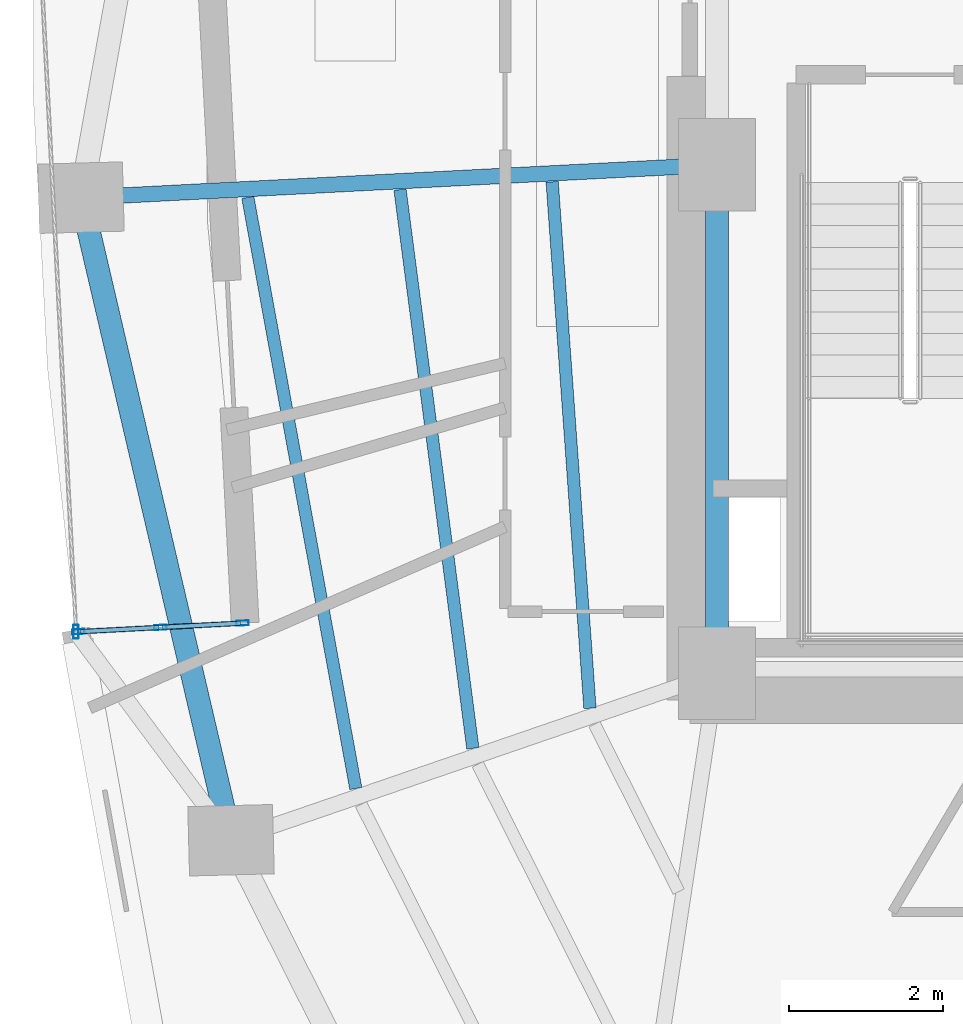
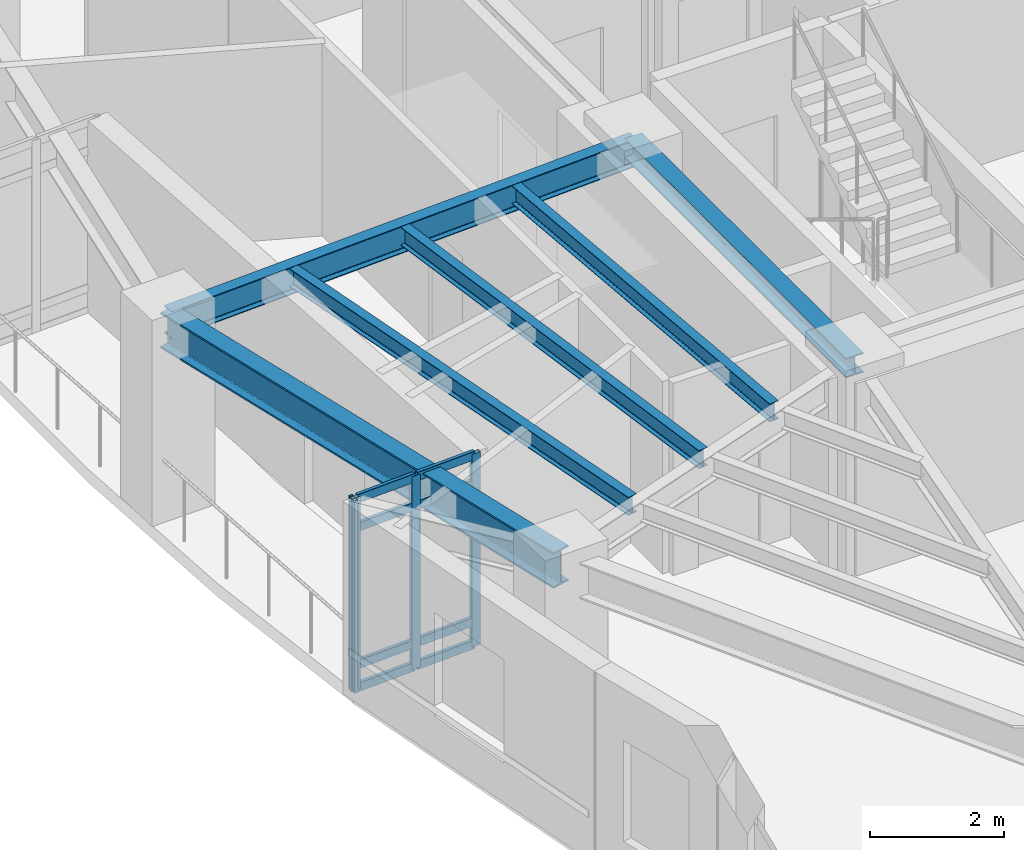
# One storey, part 2 of 13: 12 members, 6 beams, 1 element without a shape of its own.
"""IFC4 building model written with IfcOpenShell, lengths in metres."""

from ifc_helpers import new_model, si_unit, direction, frame, origin, origin_2d, place, context, subcontext, project, spatial, hollow_rectangle, i_section, extrude, material, layer, layer_set, material_profile, profile_set, type_object, element, aggregate, save


model = new_model("IFC4")

# Units and contexts
model_context = context("Model", 3, precision=1e-05, world=origin(), true_north=direction((0.0, 1.0)))
body_context = subcontext(model_context, "Body", "Model", "MODEL_VIEW")
ifc_project = project(units=[si_unit("LENGTHUNIT", "METRE"), si_unit("AREAUNIT", "SQUARE_METRE"), si_unit("VOLUMEUNIT", "CUBIC_METRE"), si_unit("PLANEANGLEUNIT", "RADIAN"), si_unit("MASSUNIT", "GRAM", prefix="KILO")], contexts=[model_context])

# Site, building, storey
site_placement = place(None, origin())
site = spatial("IfcSite", under=ifc_project, at=site_placement, CompositionType="ELEMENT")
building_placement = place(site_placement, origin())
building = spatial("IfcBuilding", under=site, at=building_placement, Name="Ndelora Gate Hotel", CompositionType="ELEMENT")
storey_placement = place(building_placement, frame((0.0, 0.0, 134.75)))
storey = spatial("IfcBuildingStorey", under=building, at=storey_placement, Name="L33", CompositionType="ELEMENT", Elevation=134.75)

# Beams
ifc_material_1 = material(Name="Steel S355", Category="steel")
ifc_material_profile_1 = material_profile(ifc_material_1, i_section(OverallWidth=0.300048828125, OverallDepth=0.360107421875, WebThickness=0.012451171875, FlangeThickness=0.0224609375, FilletRadius=0.027099609375, at=origin_2d()), Name="HEB 360")
ifc_profile_set_1 = profile_set([ifc_material_profile_1], Name="Steel S355")
beam_type_1 = type_object("IfcBeamType", Name="BM-CORE-360", PredefinedType="BEAM", material=ifc_profile_set_1)
beam_1_placement = place(storey_placement, frame((-8.0, -6.60009765625, 3.320068359375), z_axis=(0.0, 1.0, 0.0), x_axis=(-1.0, 0.0, 0.0)))
element("IfcBeam", 1, at=beam_1_placement, inside=storey, type_object=beam_type_1, Name="L33 Core Tie Girder CC1-CC8", PredefinedType="BEAM", context=body_context, shape_type="SweptSolid", body=[
    extrude(i_section(OverallWidth=0.300048828125, OverallDepth=0.360107421875, WebThickness=0.012451171875, FlangeThickness=0.0224609375, FilletRadius=0.027099609375, at=origin_2d()), origin(), (0.0, 0.0, 1.0), 6.60009765625),
])
ifc_material_profile_2 = material_profile(ifc_material_1, i_section(OverallWidth=0.159912109375, OverallDepth=0.330078125, WebThickness=0.007568359375, FlangeThickness=0.011474609375, FilletRadius=0.01806640625, at=origin_2d()), Name="IPE 330")
ifc_profile_set_2 = profile_set([ifc_material_profile_2], Name="Steel S355")
beam_type_2 = type_object("IfcBeamType", Name="BM-JST-330", PredefinedType="JOIST", material=ifc_profile_set_2)
beam_2_placement = place(storey_placement, frame((-10.138427734375, -0.220458984375, 3.3349609375), z_axis=(0.07162945927, -0.997431311201, 0.0), x_axis=(0.997431311201, 0.07162945927, 0.0)))
element("IfcBeam", 2, at=beam_2_placement, inside=storey, type_object=beam_type_2, Name="L33 Secondary Composite Floor Joist IN-3", PredefinedType="JOIST", context=body_context, shape_type="SweptSolid", body=[
    extrude(i_section(OverallWidth=0.159912109375, OverallDepth=0.330078125, WebThickness=0.007568359375, FlangeThickness=0.011474609375, FilletRadius=0.01806640625, at=origin_2d()), origin(), (0.0, 0.0, 1.0), 6.850830078125),
])
beam_3_placement = place(storey_placement, frame((-12.113525390625, -0.322021484375, 3.3349609375), z_axis=(0.12927924943, -0.991608226906, 0.0), x_axis=(0.991608226906, 0.12927924943, 0.0)))
element("IfcBeam", 3, at=beam_3_placement, inside=storey, type_object=beam_type_2, Name="L33 Secondary Composite Floor Joist MID-3", PredefinedType="JOIST", context=body_context, shape_type="SweptSolid", body=[
    extrude(i_section(OverallWidth=0.159912109375, OverallDepth=0.330078125, WebThickness=0.007568359375, FlangeThickness=0.011474609375, FilletRadius=0.01806640625, at=origin_2d()), origin(), (0.0, 0.0, 1.0), 7.31396484375),
])
beam_4_placement = place(storey_placement, frame((-14.089111328125, -0.423095703125, 3.3349609375), z_axis=(0.179733770179, -0.983715290039, 0.0), x_axis=(0.983715290039, 0.179733770179, 0.0)))
element("IfcBeam", 4, at=beam_4_placement, inside=storey, type_object=beam_type_2, Name="L33 Secondary Composite Floor Joist OUT-3", PredefinedType="JOIST", context=body_context, shape_type="SweptSolid", body=[
    extrude(i_section(OverallWidth=0.159912109375, OverallDepth=0.330078125, WebThickness=0.007568359375, FlangeThickness=0.011474609375, FilletRadius=0.01806640625, at=origin_2d()), origin(), (0.0, 0.0, 1.0), 7.799560546875),
])
ifc_material_profile_3 = material_profile(ifc_material_1, i_section(OverallWidth=0.199951171875, OverallDepth=0.5, WebThickness=0.01025390625, FlangeThickness=0.01611328125, FilletRadius=0.02099609375, at=origin_2d()), Name="IPE 500")
ifc_profile_set_3 = profile_set([ifc_material_profile_3], Name="Steel S355")
beam_type_3 = type_object("IfcBeamType", Name="BM-RAD-500", PredefinedType="BEAM", material=ifc_profile_set_3)
beam_5_placement = place(storey_placement, frame((-8.0, 0.0, 3.25), z_axis=(-0.998672591881, -0.051507807424, 0.0), x_axis=(0.051507807424, -0.998672591881, 0.0)))
element("IfcBeam", 5, at=beam_5_placement, inside=storey, type_object=beam_type_3, Name="L33 Radial Floor Girder 3", PredefinedType="BEAM", context=body_context, shape_type="SweptSolid", body=[
    extrude(i_section(OverallWidth=0.199951171875, OverallDepth=0.5, WebThickness=0.01025390625, FlangeThickness=0.01611328125, FilletRadius=0.02099609375, at=origin_2d()), origin(), (0.0, 0.0, 1.0), 8.266357421875),
])
ifc_material_profile_4 = material_profile(ifc_material_1, i_section(OverallWidth=0.300048828125, OverallDepth=0.64990234375, WebThickness=0.01611328125, FlangeThickness=0.031005859375, FilletRadius=0.027099609375, at=origin_2d()), Name="HEB 650")
ifc_profile_set_4 = profile_set([ifc_material_profile_4], Name="Steel S355")
beam_type_4 = type_object("IfcBeamType", Name="BM-RING-650", PredefinedType="SPANDREL", material=ifc_profile_set_4)
beam_6_placement = place(storey_placement, frame((-16.25537109375, -0.42578125, 3.175048828125), z_axis=(0.227404398157, -0.973800410607, 0.0), x_axis=(0.973800410607, 0.227404398157, 0.0)))
element("IfcBeam", 6, at=beam_6_placement, inside=storey, type_object=beam_type_4, Name="L33 Perimeter Spandrel Girder 3", PredefinedType="SPANDREL", context=body_context, shape_type="SweptSolid", body=[
    extrude(i_section(OverallWidth=0.300048828125, OverallDepth=0.64990234375, WebThickness=0.01611328125, FlangeThickness=0.031005859375, FilletRadius=0.027099609375, at=origin_2d()), origin(), (0.0, 0.0, 1.0), 8.566162109375),
])

# Curtain wall, members
ifc_material_2 = material(Name="Bronze Anodised Unitised Aluminium and Low-E Glass", Category="aluminium")
ifc_layer = layer(ifc_material_2, 0.199951171875)
ifc_layer_set = layer_set([ifc_layer], Name="Bronze Anodised Unitised Aluminium and Low-E Glass")
curtain_wall_type = type_object("IfcCurtainWallType", Name="CW-SYS-3", PredefinedType="NOTDEFINED", material=ifc_layer_set)
curtain_wall_placement = place(storey_placement, origin())
curtain_wall = element("IfcCurtainWall", 7, at=curtain_wall_placement, inside=storey, type_object=curtain_wall_type, Name="L33 Sky-Garden Loggia Side Curtain Wall CW3-2", PredefinedType="NOTDEFINED")
ifc_material_3 = material(Name="Bronze Anodised Aluminium 6063-T6", Category="aluminium")
ifc_material_profile_5 = material_profile(ifc_material_3, hollow_rectangle(XDim=0.06494140625, YDim=0.159912109375, WallThickness=0.00390625, InnerFilletRadius=0.00390625, OuterFilletRadius=0.008056640625, at=origin_2d()), Name="ALU 160x65x4")
ifc_profile_set_5 = profile_set([ifc_material_profile_5], Name="Bronze Anodised Aluminium 6063-T6")
member_type_1 = type_object("IfcMemberType", Name="MB-CW-MUL150", PredefinedType="MULLION", material=ifc_profile_set_5)
member_1_placement = place(storey_placement, frame((-16.288330078125, -6.060791015625, -0.00390625), z_axis=(0.0, 0.0, 1.0), x_axis=(-0.052363203389, 0.998628106419, 0.0)))
member_1 = element("IfcMember", 8, at=member_1_placement, type_object=member_type_1, Name="CW3 mullion 1", PredefinedType="MULLION", context=body_context, shape_type="SweptSolid", body=[
    extrude(hollow_rectangle(XDim=0.06494140625, YDim=0.159912109375, WallThickness=0.00390625, InnerFilletRadius=0.00390625, OuterFilletRadius=0.008056640625, at=origin_2d()), origin(), (0.0, 0.0, 1.0), 3.5078125),
])
member_2_placement = place(storey_placement, frame((-15.22216796875, -6.0048828125, -0.00390625), z_axis=(0.0, 0.0, 1.0), x_axis=(-0.052363203389, 0.998628106419, 0.0)))
member_2 = element("IfcMember", 9, at=member_2_placement, type_object=member_type_1, Name="CW3 mullion 2", PredefinedType="MULLION", context=body_context, shape_type="SweptSolid", body=[
    extrude(hollow_rectangle(XDim=0.06494140625, YDim=0.159912109375, WallThickness=0.00390625, InnerFilletRadius=0.00390625, OuterFilletRadius=0.008056640625, at=origin_2d()), origin(), (0.0, 0.0, 1.0), 3.5078125),
])
member_3_placement = place(storey_placement, frame((-14.15625, -5.948974609375, -0.00390625), z_axis=(0.0, 0.0, 1.0), x_axis=(-0.052363203389, 0.998628106419, 0.0)))
member_3 = element("IfcMember", 10, at=member_3_placement, type_object=member_type_1, Name="CW3 mullion 3", PredefinedType="MULLION", context=body_context, shape_type="SweptSolid", body=[
    extrude(hollow_rectangle(XDim=0.06494140625, YDim=0.159912109375, WallThickness=0.00390625, InnerFilletRadius=0.00390625, OuterFilletRadius=0.008056640625, at=origin_2d()), origin(), (0.0, 0.0, 1.0), 3.5078125),
])
ifc_material_profile_6 = material_profile(ifc_material_3, hollow_rectangle(XDim=0.070068359375, YDim=0.179931640625, WallThickness=0.0048828125, InnerFilletRadius=0.0048828125, OuterFilletRadius=0.010009765625, at=origin_2d()), Name="ALU 180x70x5")
ifc_profile_set_6 = profile_set([ifc_material_profile_6], Name="Bronze Anodised Aluminium 6063-T6")
member_type_2 = type_object("IfcMemberType", Name="MB-CW-MUL180", PredefinedType="MULLION", material=ifc_profile_set_6)
member_4_placement = place(storey_placement, frame((-16.32080078125, -6.0625, 0.0), z_axis=(0.0, 0.0, 1.0), x_axis=(1.0, 0.0, 0.0)))
member_4 = element("IfcMember", 11, at=member_4_placement, type_object=member_type_2, Name="L33 Sky-Garden Loggia Corner Mullion Post 2", PredefinedType="MULLION", context=body_context, shape_type="SweptSolid", body=[
    extrude(hollow_rectangle(XDim=0.070068359375, YDim=0.179931640625, WallThickness=0.0048828125, InnerFilletRadius=0.0048828125, OuterFilletRadius=0.010009765625, at=origin_2d()), origin(), (0.0, 0.0, 1.0), 3.5),
])
ifc_material_profile_7 = material_profile(ifc_material_3, hollow_rectangle(XDim=0.06494140625, YDim=0.159912109375, WallThickness=0.00390625, InnerFilletRadius=0.00390625, OuterFilletRadius=0.008056640625, at=origin_2d()), Name="ALU 160x65x4")
ifc_profile_set_7 = profile_set([ifc_material_profile_7], Name="Bronze Anodised Aluminium 6063-T6")
member_type_3 = type_object("IfcMemberType", Name="MB-CW-TRN150", PredefinedType="USERDEFINED", material=ifc_profile_set_7)
member_5_placement = place(storey_placement, frame((-16.26171875, -6.059326171875, 0.032470703125), z_axis=(0.998635062654, 0.052230370835, 0.0), x_axis=(-0.052230370835, 0.998635062654, 0.0)))
member_5 = element("IfcMember", 12, at=member_5_placement, type_object=member_type_3, Name="CW3 transom 1.1", ObjectType="TRANSOM", PredefinedType="USERDEFINED", context=body_context, shape_type="SweptSolid", body=[
    extrude(hollow_rectangle(XDim=0.06494140625, YDim=0.159912109375, WallThickness=0.00390625, InnerFilletRadius=0.00390625, OuterFilletRadius=0.008056640625, at=origin_2d()), origin(), (0.0, 0.0, 1.0), 1.014404296875),
])
member_6_placement = place(storey_placement, frame((-16.26171875, -6.059326171875, 0.449951171875), z_axis=(0.998635062654, 0.052230370835, 0.0), x_axis=(-0.052230370835, 0.998635062654, 0.0)))
member_6 = element("IfcMember", 13, at=member_6_placement, type_object=member_type_3, Name="CW3 transom 1.2", ObjectType="TRANSOM", PredefinedType="USERDEFINED", context=body_context, shape_type="SweptSolid", body=[
    extrude(hollow_rectangle(XDim=0.06494140625, YDim=0.159912109375, WallThickness=0.00390625, InnerFilletRadius=0.00390625, OuterFilletRadius=0.008056640625, at=origin_2d()), origin(), (0.0, 0.0, 1.0), 1.014404296875),
])
member_7_placement = place(storey_placement, frame((-16.26171875, -6.059326171875, 2.949951171875), z_axis=(0.998635062654, 0.052230370835, 0.0), x_axis=(-0.052230370835, 0.998635062654, 0.0)))
member_7 = element("IfcMember", 14, at=member_7_placement, type_object=member_type_3, Name="CW3 transom 1.3", ObjectType="TRANSOM", PredefinedType="USERDEFINED", context=body_context, shape_type="SweptSolid", body=[
    extrude(hollow_rectangle(XDim=0.06494140625, YDim=0.159912109375, WallThickness=0.00390625, InnerFilletRadius=0.00390625, OuterFilletRadius=0.008056640625, at=origin_2d()), origin(), (0.0, 0.0, 1.0), 1.014404296875),
])
member_8_placement = place(storey_placement, frame((-16.26171875, -6.059326171875, 3.467529296875), z_axis=(0.998635062654, 0.052230370835, 0.0), x_axis=(-0.052230370835, 0.998635062654, 0.0)))
member_8 = element("IfcMember", 15, at=member_8_placement, type_object=member_type_3, Name="CW3 transom 1.4", ObjectType="TRANSOM", PredefinedType="USERDEFINED", context=body_context, shape_type="SweptSolid", body=[
    extrude(hollow_rectangle(XDim=0.06494140625, YDim=0.159912109375, WallThickness=0.00390625, InnerFilletRadius=0.00390625, OuterFilletRadius=0.008056640625, at=origin_2d()), origin(), (0.0, 0.0, 1.0), 1.014404296875),
])
member_9_placement = place(storey_placement, frame((-15.19580078125, -6.00341796875, 0.032470703125), z_axis=(0.998635719031, 0.052217819525, 0.0), x_axis=(-0.052217819525, 0.998635719031, 0.0)))
member_9 = element("IfcMember", 16, at=member_9_placement, type_object=member_type_3, Name="CW3 transom 2.1", ObjectType="TRANSOM", PredefinedType="USERDEFINED", context=body_context, shape_type="SweptSolid", body=[
    extrude(hollow_rectangle(XDim=0.06494140625, YDim=0.159912109375, WallThickness=0.00390625, InnerFilletRadius=0.00390625, OuterFilletRadius=0.008056640625, at=origin_2d()), origin(), (0.0, 0.0, 1.0), 1.0146484375),
])
member_10_placement = place(storey_placement, frame((-15.19580078125, -6.00341796875, 0.449951171875), z_axis=(0.998635719031, 0.052217819525, 0.0), x_axis=(-0.052217819525, 0.998635719031, 0.0)))
member_10 = element("IfcMember", 17, at=member_10_placement, type_object=member_type_3, Name="CW3 transom 2.2", ObjectType="TRANSOM", PredefinedType="USERDEFINED", context=body_context, shape_type="SweptSolid", body=[
    extrude(hollow_rectangle(XDim=0.06494140625, YDim=0.159912109375, WallThickness=0.00390625, InnerFilletRadius=0.00390625, OuterFilletRadius=0.008056640625, at=origin_2d()), origin(), (0.0, 0.0, 1.0), 1.0146484375),
])
member_11_placement = place(storey_placement, frame((-15.19580078125, -6.00341796875, 2.949951171875), z_axis=(0.998635719031, 0.052217819525, 0.0), x_axis=(-0.052217819525, 0.998635719031, 0.0)))
member_11 = element("IfcMember", 18, at=member_11_placement, type_object=member_type_3, Name="CW3 transom 2.3", ObjectType="TRANSOM", PredefinedType="USERDEFINED", context=body_context, shape_type="SweptSolid", body=[
    extrude(hollow_rectangle(XDim=0.06494140625, YDim=0.159912109375, WallThickness=0.00390625, InnerFilletRadius=0.00390625, OuterFilletRadius=0.008056640625, at=origin_2d()), origin(), (0.0, 0.0, 1.0), 1.0146484375),
])
member_12_placement = place(storey_placement, frame((-15.19580078125, -6.00341796875, 3.467529296875), z_axis=(0.998635719031, 0.052217819525, 0.0), x_axis=(-0.052217819525, 0.998635719031, 0.0)))
member_12 = element("IfcMember", 19, at=member_12_placement, type_object=member_type_3, Name="CW3 transom 2.4", ObjectType="TRANSOM", PredefinedType="USERDEFINED", context=body_context, shape_type="SweptSolid", body=[
    extrude(hollow_rectangle(XDim=0.06494140625, YDim=0.159912109375, WallThickness=0.00390625, InnerFilletRadius=0.00390625, OuterFilletRadius=0.008056640625, at=origin_2d()), origin(), (0.0, 0.0, 1.0), 1.0146484375),
])
aggregate(curtain_wall, [member_1, member_2, member_3, member_5, member_6, member_7, member_8, member_9, member_10, member_11, member_12, member_4])

save(model, "model.ifc")
